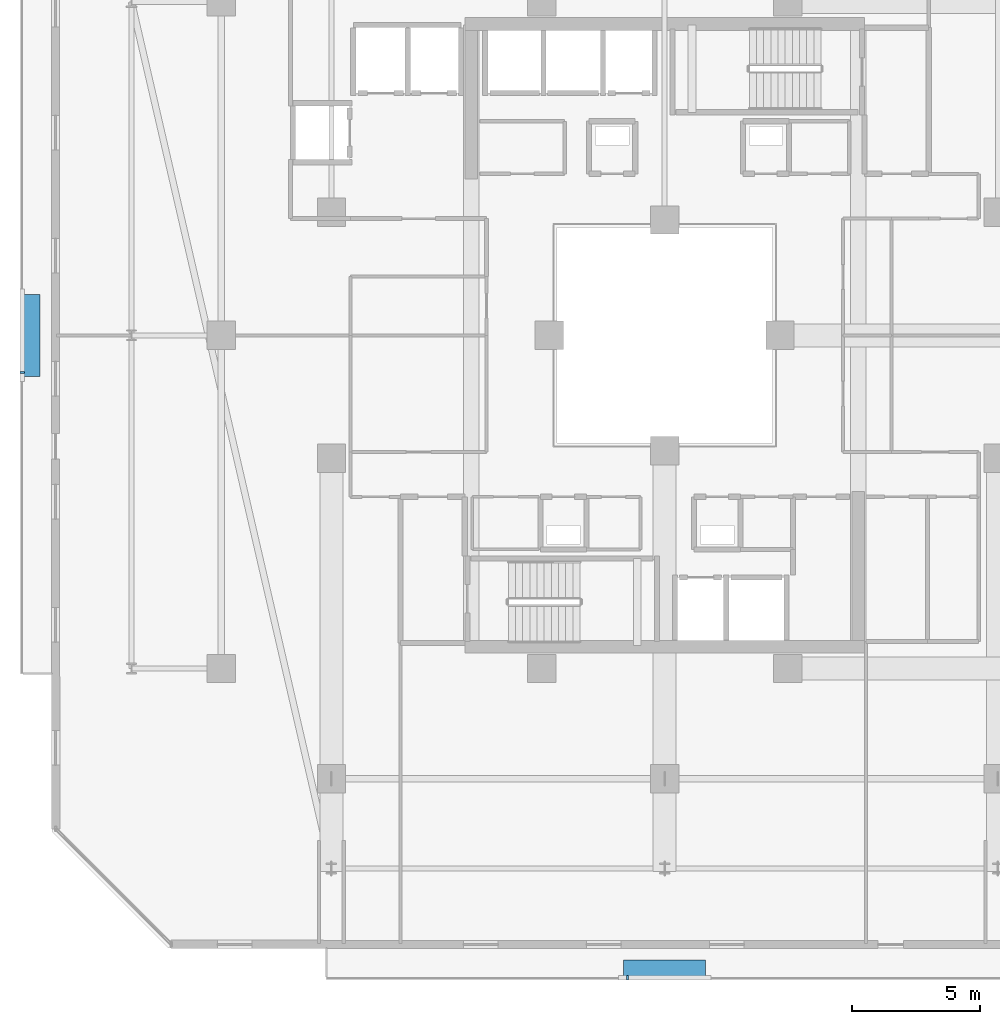
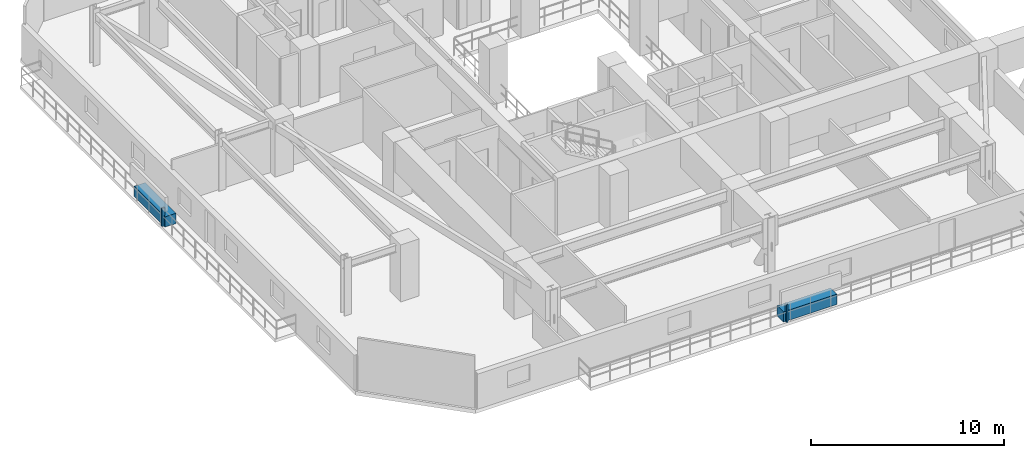
# One storey, part 29 of 35: 4 discrete accessories.
"""IFC4 building model written with IfcOpenShell, lengths in metres."""

from ifc_helpers import new_model, si_unit, direction, frame, origin, origin_2d, place, context, subcontext, project, spatial, rectangle, extrude, material, type_object, element, save


model = new_model("IFC4")

# Units and contexts
model_context = context("Model", 3, precision=1e-05, world=origin(), true_north=direction((0.0, 1.0)))
body_context = subcontext(model_context, "Body", "Model", "MODEL_VIEW")
ifc_project = project(units=[si_unit("LENGTHUNIT", "METRE"), si_unit("AREAUNIT", "SQUARE_METRE"), si_unit("VOLUMEUNIT", "CUBIC_METRE"), si_unit("PLANEANGLEUNIT", "RADIAN"), si_unit("MASSUNIT", "GRAM", prefix="KILO")], contexts=[model_context])

# Site, building, storey
site_placement = place(None, origin())
site = spatial("IfcSite", under=ifc_project, at=site_placement, CompositionType="ELEMENT")
building_placement = place(site_placement, origin())
building = spatial("IfcBuilding", under=site, at=building_placement, Name="Thornwick Lancets Civic Towers", CompositionType="ELEMENT")
storey_placement = place(building_placement, frame((0.0, 0.0, 145.5)))
storey = spatial("IfcBuildingStorey", under=building, at=storey_placement, Name="L38", CompositionType="ELEMENT", Elevation=145.5)

# Discrete accessories
ifc_material_1 = material(Name="Planted terracotta greenery planter", Category="masonry")
discrete_accessory_type_1 = type_object("IfcDiscreteAccessoryType", Name="ACC_PLANTER_BOX", PredefinedType="USERDEFINED", material=ifc_material_1)
discrete_accessory_1_placement = place(storey_placement, frame((25.5, 2.300048828125, 0.0), z_axis=(0.0, 0.0, 1.0), x_axis=(1.0, 0.0, 0.0)))
element("IfcDiscreteAccessory", 1, at=discrete_accessory_1_placement, inside=storey, type_object=discrete_accessory_type_1, Name="L38 Tower A Balcony Greenery Planter S", ObjectType="PLANTER", PredefinedType="USERDEFINED", context=body_context, shape_type="SweptSolid", body=[
    extrude(rectangle(XDim=3.199951171875, YDim=0.64990234375, at=origin_2d()), origin(), (0.0, 0.0, 1.0), 0.64990234375),
])
discrete_accessory_2_placement = place(storey_placement, frame((0.800048828125, 27.0, 0.0), z_axis=(0.0, 0.0, 1.0), x_axis=(1.0, 0.0, 0.0)))
element("IfcDiscreteAccessory", 2, at=discrete_accessory_2_placement, inside=storey, type_object=discrete_accessory_type_1, Name="L38 Tower A Balcony Greenery Planter W", ObjectType="PLANTER", PredefinedType="USERDEFINED", context=body_context, shape_type="SweptSolid", body=[
    extrude(rectangle(XDim=0.64990234375, YDim=3.199951171875, at=origin_2d()), origin(), (0.0, 0.0, 1.0), 0.64990234375),
])
ifc_material_2 = material(Name="Stainless steel S355", Category="steel")
discrete_accessory_type_2 = type_object("IfcDiscreteAccessoryType", Name="ACC_SCREEN_BRACKET", PredefinedType="BRACKET", material=ifc_material_2)
for number, where, z_axis, x_axis, name in (
    (3, (24.050048828125, 1.93994140625, 0.0), (0.0, 0.0, 1.0), (1.0, 0.0, 0.0), "L38 Tower A Balcony Screen Stanchion Bracket S-1"),
    (4, (0.43994140625, 25.550048828125, 0.0), (0.0, 0.0, 1.0), (0.0, 1.0, 0.0), "L38 Tower A Balcony Screen Stanchion Bracket W-1"),
):
    element("IfcDiscreteAccessory", number, at=place(storey_placement, frame(where, z_axis=z_axis, x_axis=x_axis)), inside=storey, type_object=discrete_accessory_type_2, Name=name, PredefinedType="BRACKET", context=body_context, shape_type="SweptSolid", body=[
        extrude(rectangle(XDim=0.080078125, YDim=0.179931640625, at=origin_2d()), origin(), (0.0, 0.0, 1.0), 1.14990234375),
    ])

save(model, "model.ifc")
